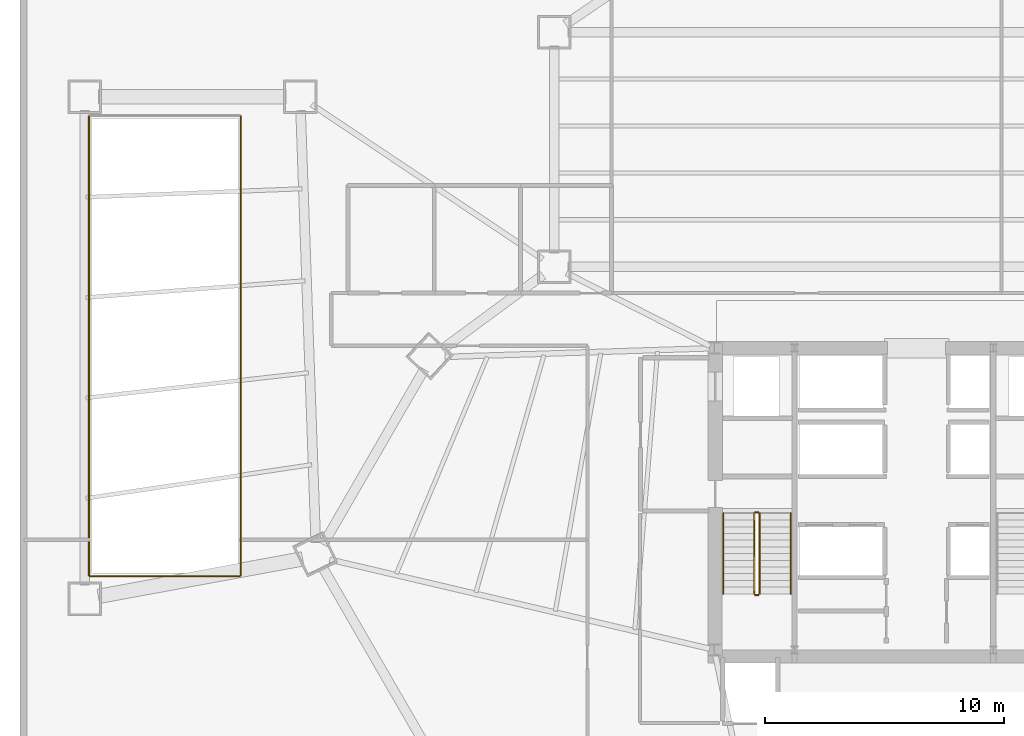
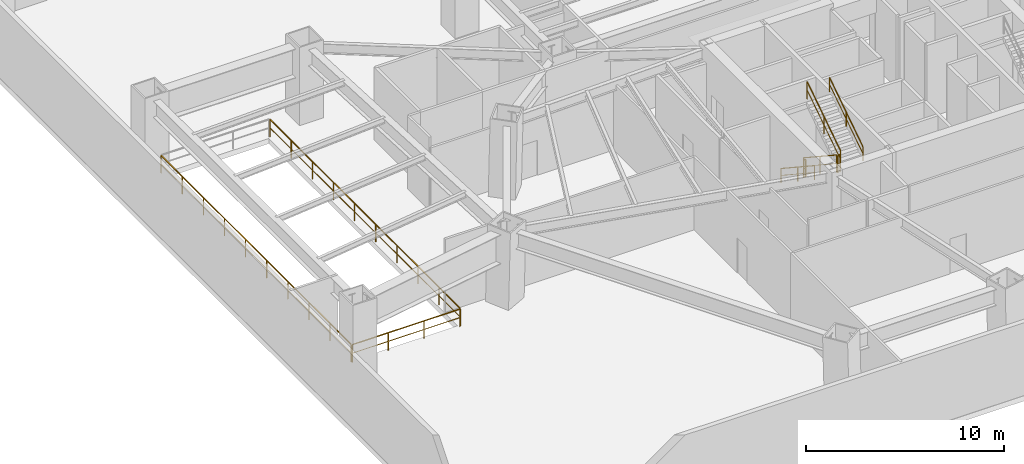
# One storey, part 9 of 11: 9 railings.
"""IFC4 building model written with IfcOpenShell, lengths in metres."""

from ifc_helpers import new_model, si_unit, direction, frame, origin, origin_2d, place, context, subcontext, project, spatial, rectangle, extrude, material, layer, layer_set, type_object, element, save


model = new_model("IFC4")

# Units and contexts
model_context = context("Model", 3, precision=1e-05, world=origin(), true_north=direction((0.0, 1.0)))
body_context = subcontext(model_context, "Body", "Model", "MODEL_VIEW")
ifc_project = project(units=[si_unit("LENGTHUNIT", "METRE"), si_unit("AREAUNIT", "SQUARE_METRE"), si_unit("VOLUMEUNIT", "CUBIC_METRE"), si_unit("PLANEANGLEUNIT", "RADIAN"), si_unit("MASSUNIT", "GRAM", prefix="KILO")], contexts=[model_context])

# Site, building, storey
site_placement = place(None, origin())
site = spatial("IfcSite", under=ifc_project, at=site_placement, CompositionType="ELEMENT")
building_placement = place(site_placement, origin())
building = spatial("IfcBuilding", under=site, at=building_placement, Name="Caelisora Broadcast Tower", CompositionType="ELEMENT")
storey_placement = place(building_placement, frame((0.0, 0.0, 5.39990234375)))
storey = spatial("IfcBuildingStorey", under=building, at=storey_placement, Name="L01", CompositionType="ELEMENT", Elevation=5.39990234375)

# Railings
ifc_material_1 = material(Name="Galvanised Steel Safety Guardrail", Category="steel")
ifc_layer_1 = layer(ifc_material_1, 0.048095703125, Name="Galvanised Steel Safety Guardrail")
ifc_layer_set_1 = layer_set([ifc_layer_1], Name="Galvanised Steel Safety Guardrail")
railing_type_1 = type_object("IfcRailingType", Name="GR-1", PredefinedType="GUARDRAIL", material=ifc_layer_set_1)
railing_1_placement = place(storey_placement, frame((4.419921875, 20.47998046875, 0.0)))
element("IfcRailing", 1, at=railing_1_placement, inside=storey, type_object=railing_type_1, Name="L01 STA studio void guardrail #1", PredefinedType="GUARDRAIL", context=body_context, shape_type="SweptSolid", body=[
    extrude(rectangle(XDim=0.048095703125, YDim=0.048095703125, at=origin_2d()), frame((0.0, 0.0, 1.076171875), z_axis=(1.0, 0.0, 0.0), x_axis=(0.0, 1.0, 0.0)), (0.0, 0.0, 1.0), 6.260009765625),
    extrude(rectangle(XDim=0.03125, YDim=0.03125, at=origin_2d()), frame((0.0, 0.0, 0.550048828125), z_axis=(1.0, 0.0, 0.0), x_axis=(0.0, 1.0, 0.0)), (0.0, 0.0, 1.0), 6.260009765625),
    extrude(rectangle(XDim=0.0419921875, YDim=0.0419921875, at=origin_2d()), origin(), (0.0, 0.0, 1.0), 1.052001953125),
    extrude(rectangle(XDim=0.0419921875, YDim=0.0419921875, at=origin_2d()), frame((2.086669921875, 0.0, 0.0)), (0.0, 0.0, 1.0), 1.052001953125),
    extrude(rectangle(XDim=0.0419921875, YDim=0.0419921875, at=origin_2d()), frame((4.17333984375, 0.0, 0.0)), (0.0, 0.0, 1.0), 1.052001953125),
    extrude(rectangle(XDim=0.0419921875, YDim=0.0419921875, at=origin_2d()), frame((6.260009765625, 0.0, 0.0)), (0.0, 0.0, 1.0), 1.052001953125),
])
railing_2_placement = place(storey_placement, frame((10.719970703125, 20.52001953125, 0.0)))
element("IfcRailing", 2, at=railing_2_placement, inside=storey, type_object=railing_type_1, Name="L01 STA studio void guardrail #2", PredefinedType="GUARDRAIL", context=body_context, shape_type="SweptSolid", body=[
    extrude(rectangle(XDim=0.048095703125, YDim=0.048095703125, at=origin_2d()), frame((0.0, 0.0, 1.076171875), z_axis=(0.0, 1.0, 0.0), x_axis=(-1.0, 0.0, 0.0)), (0.0, 0.0, 1.0), 19.159912109375),
    extrude(rectangle(XDim=0.03125, YDim=0.03125, at=origin_2d()), frame((0.0, 0.0, 0.550048828125), z_axis=(0.0, 1.0, 0.0), x_axis=(-1.0, 0.0, 0.0)), (0.0, 0.0, 1.0), 19.159912109375),
    extrude(rectangle(XDim=0.0419921875, YDim=0.0419921875, at=origin_2d()), origin(), (0.0, 0.0, 1.0), 1.052001953125),
    extrude(rectangle(XDim=0.0419921875, YDim=0.0419921875, at=origin_2d()), frame((0.0, 2.12890625, 0.0)), (0.0, 0.0, 1.0), 1.052001953125),
    extrude(rectangle(XDim=0.0419921875, YDim=0.0419921875, at=origin_2d()), frame((0.0, 4.2578125, 0.0)), (0.0, 0.0, 1.0), 1.052001953125),
    extrude(rectangle(XDim=0.0419921875, YDim=0.0419921875, at=origin_2d()), frame((0.0, 6.38671875, 0.0)), (0.0, 0.0, 1.0), 1.052001953125),
    extrude(rectangle(XDim=0.0419921875, YDim=0.0419921875, at=origin_2d()), frame((0.0, 8.515625, 0.0)), (0.0, 0.0, 1.0), 1.052001953125),
    extrude(rectangle(XDim=0.0419921875, YDim=0.0419921875, at=origin_2d()), frame((0.0, 10.644287109375, 0.0)), (0.0, 0.0, 1.0), 1.052001953125),
    extrude(rectangle(XDim=0.0419921875, YDim=0.0419921875, at=origin_2d()), frame((0.0, 12.773193359375, 0.0)), (0.0, 0.0, 1.0), 1.052001953125),
    extrude(rectangle(XDim=0.0419921875, YDim=0.0419921875, at=origin_2d()), frame((0.0, 14.902099609375, 0.0)), (0.0, 0.0, 1.0), 1.052001953125),
    extrude(rectangle(XDim=0.0419921875, YDim=0.0419921875, at=origin_2d()), frame((0.0, 17.031005859375, 0.0)), (0.0, 0.0, 1.0), 1.052001953125),
    extrude(rectangle(XDim=0.0419921875, YDim=0.0419921875, at=origin_2d()), frame((0.0, 19.159912109375, 0.0)), (0.0, 0.0, 1.0), 1.052001953125),
])
railing_3_placement = place(storey_placement, frame((4.3798828125, 39.679931640625, 0.0)))
element("IfcRailing", 3, at=railing_3_placement, inside=storey, type_object=railing_type_1, Name="L01 STA studio void guardrail #4", PredefinedType="GUARDRAIL", context=body_context, shape_type="SweptSolid", body=[
    extrude(rectangle(XDim=0.048095703125, YDim=0.048095703125, at=origin_2d()), frame((0.0, 0.0, 1.076171875), z_axis=(0.0, -1.0, 0.0), x_axis=(1.0, 0.0, 0.0)), (0.0, 0.0, 1.0), 19.159912109375),
    extrude(rectangle(XDim=0.03125, YDim=0.03125, at=origin_2d()), frame((0.0, 0.0, 0.550048828125), z_axis=(0.0, -1.0, 0.0), x_axis=(1.0, 0.0, 0.0)), (0.0, 0.0, 1.0), 19.159912109375),
    extrude(rectangle(XDim=0.0419921875, YDim=0.0419921875, at=origin_2d()), origin(), (0.0, 0.0, 1.0), 1.052001953125),
    extrude(rectangle(XDim=0.0419921875, YDim=0.0419921875, at=origin_2d()), frame((0.0, -2.12890625, 0.0)), (0.0, 0.0, 1.0), 1.052001953125),
    extrude(rectangle(XDim=0.0419921875, YDim=0.0419921875, at=origin_2d()), frame((0.0, -4.2578125, 0.0)), (0.0, 0.0, 1.0), 1.052001953125),
    extrude(rectangle(XDim=0.0419921875, YDim=0.0419921875, at=origin_2d()), frame((0.0, -6.38671875, 0.0)), (0.0, 0.0, 1.0), 1.052001953125),
    extrude(rectangle(XDim=0.0419921875, YDim=0.0419921875, at=origin_2d()), frame((0.0, -8.515625, 0.0)), (0.0, 0.0, 1.0), 1.052001953125),
    extrude(rectangle(XDim=0.0419921875, YDim=0.0419921875, at=origin_2d()), frame((0.0, -10.644287109375, 0.0)), (0.0, 0.0, 1.0), 1.052001953125),
    extrude(rectangle(XDim=0.0419921875, YDim=0.0419921875, at=origin_2d()), frame((0.0, -12.773193359375, 0.0)), (0.0, 0.0, 1.0), 1.052001953125),
    extrude(rectangle(XDim=0.0419921875, YDim=0.0419921875, at=origin_2d()), frame((0.0, -14.902099609375, 0.0)), (0.0, 0.0, 1.0), 1.052001953125),
    extrude(rectangle(XDim=0.0419921875, YDim=0.0419921875, at=origin_2d()), frame((0.0, -17.031005859375, 0.0)), (0.0, 0.0, 1.0), 1.052001953125),
    extrude(rectangle(XDim=0.0419921875, YDim=0.0419921875, at=origin_2d()), frame((0.0, -19.159912109375, 0.0)), (0.0, 0.0, 1.0), 1.052001953125),
])
railing_4_placement = place(storey_placement, frame((32.169921875, 23.10009765625, 0.184814453125)))
element("IfcRailing", 4, at=railing_4_placement, inside=storey, type_object=railing_type_1, Name="L01 ST-1 stair guard 1", PredefinedType="GUARDRAIL", context=body_context, shape_type="SweptSolid", body=[
    extrude(rectangle(XDim=0.048095703125, YDim=0.048095703125, at=origin_2d()), frame((0.0, 0.0, 1.076171875), z_axis=(0.0, -0.834876476806, 0.550437342915), x_axis=(1.0, 0.0, 0.0)), (0.0, 0.0, 1.0), 4.024658203125),
    extrude(rectangle(XDim=0.03125, YDim=0.03125, at=origin_2d()), frame((0.0, 0.0, 0.550048828125), z_axis=(0.0, -0.834876476806, 0.550437342915), x_axis=(1.0, 0.0, 0.0)), (0.0, 0.0, 1.0), 4.024658203125),
    extrude(rectangle(XDim=0.0419921875, YDim=0.0419921875, at=origin_2d()), origin(), (0.0, 0.0, 1.0), 1.052001953125),
    extrude(rectangle(XDim=0.0419921875, YDim=0.0419921875, at=origin_2d()), frame((0.0, -1.68017578125, 1.107666015625)), (0.0, 0.0, 1.0), 1.052001953125),
    extrude(rectangle(XDim=0.0419921875, YDim=0.0419921875, at=origin_2d()), frame((0.0, -3.360107421875, 2.21533203125)), (0.0, 0.0, 1.0), 1.052001953125),
])
railing_5_placement = place(storey_placement, frame((32.219970703125, 19.68994140625, 2.400146484375)))
element("IfcRailing", 5, at=railing_5_placement, inside=storey, type_object=railing_type_1, Name="L01 ST-1 stair guard 2", PredefinedType="GUARDRAIL", context=body_context, shape_type="SweptSolid", body=[
    extrude(rectangle(XDim=0.048095703125, YDim=0.048095703125, at=origin_2d()), frame((0.0, 0.0, 1.076171875), z_axis=(1.0, 0.0, 0.0), x_axis=(0.0, 1.0, 0.0)), (0.0, 0.0, 1.0), 0.1201171875),
    extrude(rectangle(XDim=0.03125, YDim=0.03125, at=origin_2d()), frame((0.0, 0.0, 0.550048828125), z_axis=(1.0, 0.0, 0.0), x_axis=(0.0, 1.0, 0.0)), (0.0, 0.0, 1.0), 0.1201171875),
    extrude(rectangle(XDim=0.0419921875, YDim=0.0419921875, at=origin_2d()), origin(), (0.0, 0.0, 1.0), 1.052001953125),
    extrude(rectangle(XDim=0.0419921875, YDim=0.0419921875, at=origin_2d()), frame((0.1201171875, 0.0, 0.0)), (0.0, 0.0, 1.0), 1.052001953125),
])
railing_6_placement = place(storey_placement, frame((32.389892578125, 19.739990234375, 2.584716796875)))
element("IfcRailing", 6, at=railing_6_placement, inside=storey, type_object=railing_type_1, Name="L01 ST-1 stair guard 3", PredefinedType="GUARDRAIL", context=body_context, shape_type="SweptSolid", body=[
    extrude(rectangle(XDim=0.048095703125, YDim=0.048095703125, at=origin_2d()), frame((0.0, 0.0, 1.076171875), z_axis=(0.0, 0.834876476806, 0.550437342915), x_axis=(-1.0, 0.0, 0.0)), (0.0, 0.0, 1.0), 4.024658203125),
    extrude(rectangle(XDim=0.03125, YDim=0.03125, at=origin_2d()), frame((0.0, 0.0, 0.550048828125), z_axis=(0.0, 0.834876476806, 0.550437342915), x_axis=(-1.0, 0.0, 0.0)), (0.0, 0.0, 1.0), 4.024658203125),
    extrude(rectangle(XDim=0.0419921875, YDim=0.0419921875, at=origin_2d()), origin(), (0.0, 0.0, 1.0), 1.052001953125),
    extrude(rectangle(XDim=0.0419921875, YDim=0.0419921875, at=origin_2d()), frame((0.0, 1.68017578125, 1.107666015625)), (0.0, 0.0, 1.0), 1.052001953125),
    extrude(rectangle(XDim=0.0419921875, YDim=0.0419921875, at=origin_2d()), frame((0.0, 3.360107421875, 2.21533203125)), (0.0, 0.0, 1.0), 1.052001953125),
])
railing_7_placement = place(storey_placement, frame((32.219970703125, 23.14990234375, 0.0)))
element("IfcRailing", 7, at=railing_7_placement, inside=storey, type_object=railing_type_1, Name="L01 ST-1 stair guard 4", PredefinedType="GUARDRAIL", context=body_context, shape_type="SweptSolid", body=[
    extrude(rectangle(XDim=0.048095703125, YDim=0.048095703125, at=origin_2d()), frame((0.0, 0.0, 1.076171875), z_axis=(1.0, 0.0, 0.0), x_axis=(0.0, 1.0, 0.0)), (0.0, 0.0, 1.0), 0.1201171875),
    extrude(rectangle(XDim=0.03125, YDim=0.03125, at=origin_2d()), frame((0.0, 0.0, 0.550048828125), z_axis=(1.0, 0.0, 0.0), x_axis=(0.0, 1.0, 0.0)), (0.0, 0.0, 1.0), 0.1201171875),
    extrude(rectangle(XDim=0.0419921875, YDim=0.0419921875, at=origin_2d()), origin(), (0.0, 0.0, 1.0), 1.052001953125),
    extrude(rectangle(XDim=0.0419921875, YDim=0.0419921875, at=origin_2d()), frame((0.1201171875, 0.0, 0.0)), (0.0, 0.0, 1.0), 1.052001953125),
])
ifc_material_2 = material(Name="Stainless Steel Grade 316 Tubular Handrail", Category="steel")
ifc_layer_2 = layer(ifc_material_2, 0.048095703125, Name="Stainless Steel Grade 316 Tubular Handrail")
ifc_layer_set_2 = layer_set([ifc_layer_2], Name="Stainless Steel Grade 316 Tubular Handrail")
railing_type_2 = type_object("IfcRailingType", Name="HR-1", PredefinedType="HANDRAIL", material=ifc_layer_set_2)
railing_8_placement = place(storey_placement, frame((30.8701171875, 23.10009765625, 0.184814453125)))
element("IfcRailing", 8, at=railing_8_placement, inside=storey, type_object=railing_type_2, Name="L01 ST-1 stair handrail 1", PredefinedType="HANDRAIL", context=body_context, shape_type="SweptSolid", body=[
    extrude(rectangle(XDim=0.048095703125, YDim=0.048095703125, at=origin_2d()), frame((0.0, 0.0, 0.8759765625), z_axis=(0.0, -0.834876476806, 0.550437342915), x_axis=(1.0, 0.0, 0.0)), (0.0, 0.0, 1.0), 4.024658203125),
    extrude(rectangle(XDim=0.03125, YDim=0.03125, at=origin_2d()), frame((0.0, 0.0, 0.449951171875), z_axis=(0.0, -0.834876476806, 0.550437342915), x_axis=(1.0, 0.0, 0.0)), (0.0, 0.0, 1.0), 4.024658203125),
    extrude(rectangle(XDim=0.0419921875, YDim=0.0419921875, at=origin_2d()), origin(), (0.0, 0.0, 1.0), 0.851806640625),
    extrude(rectangle(XDim=0.0419921875, YDim=0.0419921875, at=origin_2d()), frame((0.0, -1.68017578125, 1.107666015625)), (0.0, 0.0, 1.0), 0.851806640625),
    extrude(rectangle(XDim=0.0419921875, YDim=0.0419921875, at=origin_2d()), frame((0.0, -3.360107421875, 2.21533203125)), (0.0, 0.0, 1.0), 0.851806640625),
])
railing_9_placement = place(storey_placement, frame((33.68994140625, 19.739990234375, 2.584716796875)))
element("IfcRailing", 9, at=railing_9_placement, inside=storey, type_object=railing_type_2, Name="L01 ST-1 stair handrail 2", PredefinedType="HANDRAIL", context=body_context, shape_type="SweptSolid", body=[
    extrude(rectangle(XDim=0.048095703125, YDim=0.048095703125, at=origin_2d()), frame((0.0, 0.0, 0.8759765625), z_axis=(0.0, 0.834876476806, 0.550437342915), x_axis=(-1.0, 0.0, 0.0)), (0.0, 0.0, 1.0), 4.024658203125),
    extrude(rectangle(XDim=0.03125, YDim=0.03125, at=origin_2d()), frame((0.0, 0.0, 0.449951171875), z_axis=(0.0, 0.834876476806, 0.550437342915), x_axis=(-1.0, 0.0, 0.0)), (0.0, 0.0, 1.0), 4.024658203125),
    extrude(rectangle(XDim=0.0419921875, YDim=0.0419921875, at=origin_2d()), origin(), (0.0, 0.0, 1.0), 0.851806640625),
    extrude(rectangle(XDim=0.0419921875, YDim=0.0419921875, at=origin_2d()), frame((0.0, 1.68017578125, 1.107666015625)), (0.0, 0.0, 1.0), 0.851806640625),
    extrude(rectangle(XDim=0.0419921875, YDim=0.0419921875, at=origin_2d()), frame((0.0, 3.360107421875, 2.21533203125)), (0.0, 0.0, 1.0), 0.851806640625),
])

save(model, "model.ifc")
